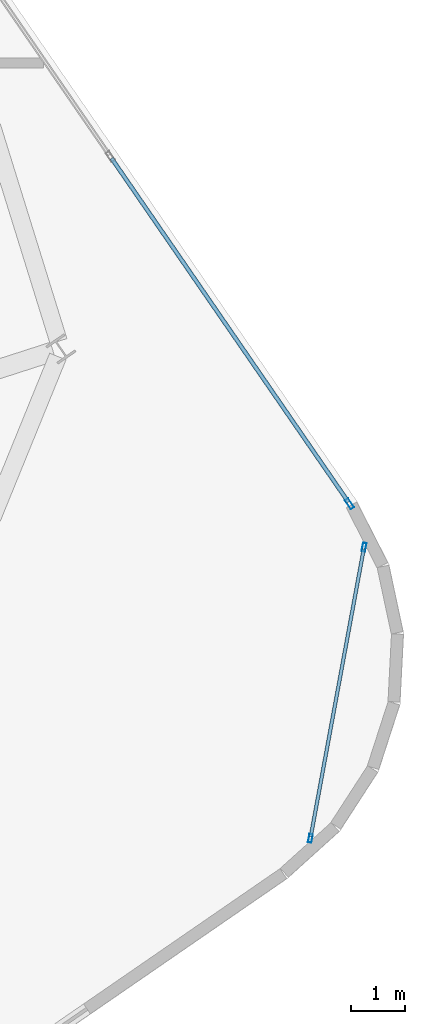
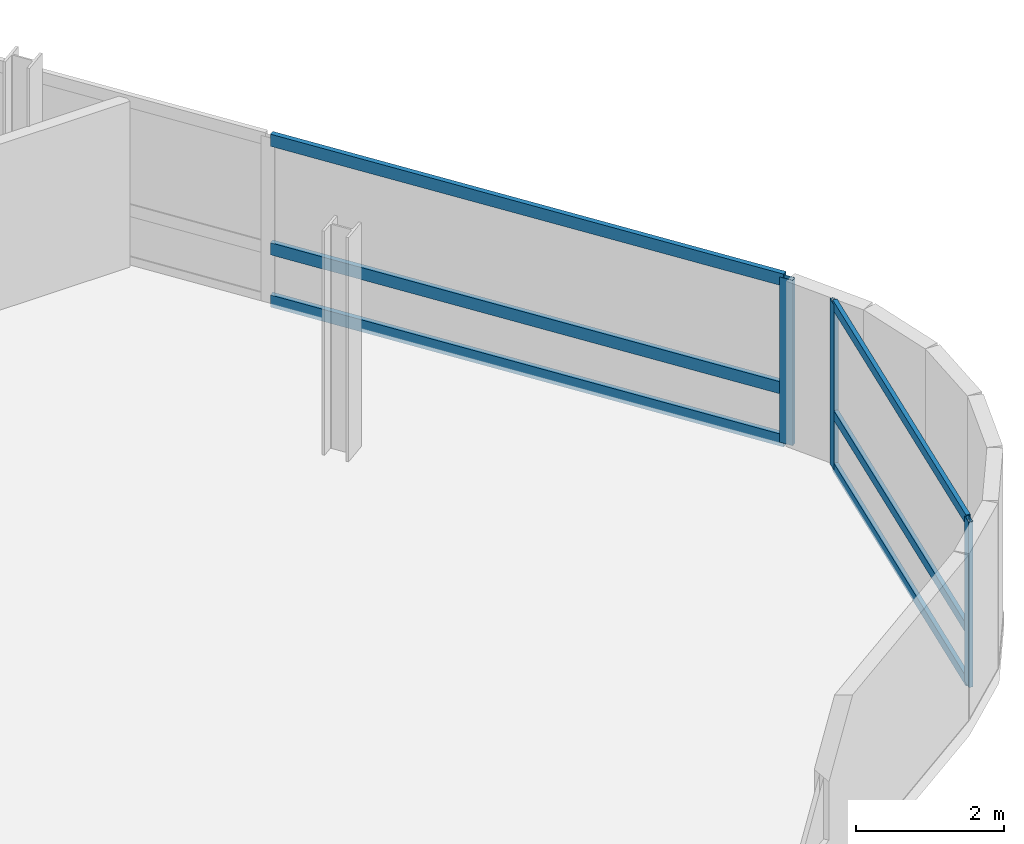
# One storey, part 12 of 23: 9 members, 2 elements without a shape of their own.
"""IFC4 building model written with IfcOpenShell, lengths in metres."""

from ifc_helpers import new_model, si_unit, direction, frame, origin, origin_2d, place, context, subcontext, project, spatial, hollow_rectangle, extrude, material, layer, layer_set, material_profile, profile_set, type_object, element, aggregate, save


model = new_model("IFC4")

# Units and contexts
model_context = context("Model", 3, precision=1e-05, world=origin(), true_north=direction((0.0, 1.0)))
body_context = subcontext(model_context, "Body", "Model", "MODEL_VIEW")
ifc_project = project(units=[si_unit("LENGTHUNIT", "METRE"), si_unit("AREAUNIT", "SQUARE_METRE"), si_unit("VOLUMEUNIT", "CUBIC_METRE"), si_unit("PLANEANGLEUNIT", "RADIAN"), si_unit("MASSUNIT", "GRAM", prefix="KILO")], contexts=[model_context])

# Site, building, storey
site_placement = place(None, origin())
site = spatial("IfcSite", under=ifc_project, at=site_placement, CompositionType="ELEMENT")
building_placement = place(site_placement, origin())
building = spatial("IfcBuilding", under=site, at=building_placement, Name="Varnelok Gate Tower", CompositionType="ELEMENT")
storey_placement = place(building_placement, frame((0.0, 0.0, 258.199951171875)))
storey = spatial("IfcBuildingStorey", under=building, at=storey_placement, Name="L66", CompositionType="ELEMENT", Elevation=258.199951171875)

# Curtain wall, members
ifc_material = material(Name="Anodized Aluminum Alloy 6063-T6", Category="aluminium")
ifc_layer_1 = layer(ifc_material, 0.179931640625)
ifc_layer_set_1 = layer_set([ifc_layer_1], Name="Anodized Aluminum Alloy 6063-T6")
curtain_wall_type_1 = type_object("IfcCurtainWallType", Name="CW5-WINDCORNER-GLAZ", PredefinedType="USERDEFINED", material=ifc_layer_set_1)
curtain_wall_1_placement = place(storey_placement, origin())
curtain_wall_1 = element("IfcCurtainWall", 1, at=curtain_wall_1_placement, inside=storey, type_object=curtain_wall_type_1, Name="L66 Wind-Shaped Corner Curtain Wall SE", ObjectType="STRUCTURAL GLAZING", PredefinedType="USERDEFINED")
ifc_material_profile_1 = material_profile(ifc_material, hollow_rectangle(XDim=0.06494140625, YDim=0.159912109375, WallThickness=0.00390625, at=origin_2d()), Name="ALU160X65X4")
ifc_profile_set_1 = profile_set([ifc_material_profile_1], Name="Anodized Aluminum Alloy 6063-T6")
member_type_1 = type_object("IfcMemberType", Name="CW-MULL-160", PredefinedType="MULLION", material=ifc_profile_set_1)
member_1_placement = place(storey_placement, frame((74.451904296875, 25.021240234375, 0.0), z_axis=(0.0, 0.0, 1.0), x_axis=(-0.983445962106, 0.181201654564, 0.0)))
member_1 = element("IfcMember", 2, at=member_1_placement, type_object=member_type_1, Name="CW5 mullion 1", PredefinedType="MULLION", context=body_context, shape_type="SweptSolid", body=[
    extrude(hollow_rectangle(XDim=0.06494140625, YDim=0.159912109375, WallThickness=0.00390625, at=origin_2d()), origin(), (0.0, 0.0, 1.0), 2.72998046875),
])
member_2_placement = place(storey_placement, frame((75.439697265625, 30.38134765625, 0.0), z_axis=(0.0, 0.0, 1.0), x_axis=(-0.983445962106, 0.181201654564, 0.0)))
member_2 = element("IfcMember", 3, at=member_2_placement, type_object=member_type_1, Name="CW5 mullion 2", PredefinedType="MULLION", context=body_context, shape_type="SweptSolid", body=[
    extrude(hollow_rectangle(XDim=0.06494140625, YDim=0.159912109375, WallThickness=0.00390625, at=origin_2d()), origin(), (0.0, 0.0, 1.0), 2.72998046875),
])

# Curtain wall, member
ifc_layer_2 = layer(ifc_material, 0.179931640625)
ifc_layer_set_2 = layer_set([ifc_layer_2], Name="Anodized Aluminum Alloy 6063-T6")
curtain_wall_type_2 = type_object("IfcCurtainWallType", Name="CW4-RESIDENCE-VISION", PredefinedType="USERDEFINED", material=ifc_layer_set_2)
curtain_wall_2_placement = place(storey_placement, origin())
curtain_wall_2 = element("IfcCurtainWall", 4, at=curtain_wall_2_placement, inside=storey, type_object=curtain_wall_type_2, Name="L66 East End Vision Curtain Wall", ObjectType="UNITISED CURTAIN WALL", PredefinedType="USERDEFINED")
ifc_material_profile_2 = material_profile(ifc_material, hollow_rectangle(XDim=0.074951171875, YDim=0.199951171875, WallThickness=0.00390625, at=origin_2d()), Name="ALU200X75X4")
ifc_profile_set_2 = profile_set([ifc_material_profile_2], Name="Anodized Aluminum Alloy 6063-T6")
member_type_2 = type_object("IfcMemberType", Name="CW-MULL-200", PredefinedType="MULLION", material=ifc_profile_set_2)
member_3_placement = place(storey_placement, frame((75.171630859375, 31.180908203125, 0.0), z_axis=(0.0, 0.0, 1.0), x_axis=(0.823532290241, 0.567269395376, 0.0)))
member_3 = element("IfcMember", 5, at=member_3_placement, type_object=member_type_2, Name="CW4 mullion 5", PredefinedType="MULLION", context=body_context, shape_type="SweptSolid", body=[
    extrude(hollow_rectangle(XDim=0.074951171875, YDim=0.199951171875, WallThickness=0.00390625, at=origin_2d()), origin(), (0.0, 0.0, 1.0), 2.72998046875),
])

# Member
ifc_material_profile_3 = material_profile(ifc_material, hollow_rectangle(XDim=0.06494140625, YDim=0.159912109375, WallThickness=0.00390625, at=origin_2d()), Name="ALU160X65X4")
ifc_profile_set_3 = profile_set([ifc_material_profile_3], Name="Anodized Aluminum Alloy 6063-T6")
member_type_3 = type_object("IfcMemberType", Name="CW-TRAN-160", PredefinedType="USERDEFINED", material=ifc_profile_set_3)
member_4_placement = place(storey_placement, frame((74.457763671875, 25.05322265625, 0.032470703125), z_axis=(0.181246660184, 0.983437668677, 0.0), x_axis=(-0.983437668677, 0.181246660184, 0.0)))
member_4 = element("IfcMember", 6, at=member_4_placement, type_object=member_type_3, Name="CW5 transom 1.1", ObjectType="TRANSOM", PredefinedType="USERDEFINED", context=body_context, shape_type="SweptSolid", body=[
    extrude(hollow_rectangle(XDim=0.06494140625, YDim=0.159912109375, WallThickness=0.00390625, at=origin_2d()), origin(), (0.0, 0.0, 1.0), 5.38525390625),
])

member_5_placement = place(storey_placement, frame((74.457763671875, 25.05322265625, 0.900146484375), z_axis=(0.181246660184, 0.983437668677, 0.0), x_axis=(-0.983437668677, 0.181246660184, 0.0)))
member_5 = element("IfcMember", 7, at=member_5_placement, type_object=member_type_3, Name="CW5 transom 1.2", ObjectType="TRANSOM", PredefinedType="USERDEFINED", context=body_context, shape_type="SweptSolid", body=[
    extrude(hollow_rectangle(XDim=0.06494140625, YDim=0.159912109375, WallThickness=0.00390625, at=origin_2d()), origin(), (0.0, 0.0, 1.0), 5.38525390625),
])

member_6_placement = place(storey_placement, frame((74.457763671875, 25.05322265625, 2.697509765625), z_axis=(0.181246660184, 0.983437668677, 0.0), x_axis=(-0.983437668677, 0.181246660184, 0.0)))
member_6 = element("IfcMember", 8, at=member_6_placement, type_object=member_type_3, Name="CW5 transom 1.3", ObjectType="TRANSOM", PredefinedType="USERDEFINED", context=body_context, shape_type="SweptSolid", body=[
    extrude(hollow_rectangle(XDim=0.06494140625, YDim=0.159912109375, WallThickness=0.00390625, at=origin_2d()), origin(), (0.0, 0.0, 1.0), 5.38525390625),
])

aggregate(curtain_wall_1, [member_1, member_2, member_4, member_5, member_6])

ifc_material_profile_4 = material_profile(ifc_material, hollow_rectangle(XDim=0.074951171875, YDim=0.199951171875, WallThickness=0.00390625, at=origin_2d()), Name="ALU200X75X4")
ifc_profile_set_4 = profile_set([ifc_material_profile_4], Name="Anodized Aluminum Alloy 6063-T6")
member_type_4 = type_object("IfcMemberType", Name="CW-TRAN-200", PredefinedType="USERDEFINED", material=ifc_profile_set_4)
member_7_placement = place(storey_placement, frame((70.78955078125, 37.542724609375, 0.03759765625), z_axis=(0.567271254331, -0.823531009744, 0.0), x_axis=(0.823531009744, 0.567271254331, 0.0)))
member_7 = element("IfcMember", 9, at=member_7_placement, type_object=member_type_4, Name="CW4 transom 4.1", ObjectType="TRANSOM", PredefinedType="USERDEFINED", context=body_context, shape_type="SweptSolid", body=[
    extrude(hollow_rectangle(XDim=0.074951171875, YDim=0.199951171875, WallThickness=0.00390625, at=origin_2d()), origin(), (0.0, 0.0, 1.0), 7.6875),
])

member_8_placement = place(storey_placement, frame((70.78955078125, 37.542724609375, 0.900146484375), z_axis=(0.567271254331, -0.823531009744, 0.0), x_axis=(0.823531009744, 0.567271254331, 0.0)))
member_8 = element("IfcMember", 10, at=member_8_placement, type_object=member_type_4, Name="CW4 transom 4.2", ObjectType="TRANSOM", PredefinedType="USERDEFINED", context=body_context, shape_type="SweptSolid", body=[
    extrude(hollow_rectangle(XDim=0.074951171875, YDim=0.199951171875, WallThickness=0.00390625, at=origin_2d()), origin(), (0.0, 0.0, 1.0), 7.6875),
])

member_9_placement = place(storey_placement, frame((70.78955078125, 37.542724609375, 2.692626953125), z_axis=(0.567271254331, -0.823531009744, 0.0), x_axis=(0.823531009744, 0.567271254331, 0.0)))
member_9 = element("IfcMember", 11, at=member_9_placement, type_object=member_type_4, Name="CW4 transom 4.3", ObjectType="TRANSOM", PredefinedType="USERDEFINED", context=body_context, shape_type="SweptSolid", body=[
    extrude(hollow_rectangle(XDim=0.074951171875, YDim=0.199951171875, WallThickness=0.00390625, at=origin_2d()), origin(), (0.0, 0.0, 1.0), 7.6875),
])

aggregate(curtain_wall_2, [member_3, member_7, member_8, member_9])

save(model, "model.ifc")
